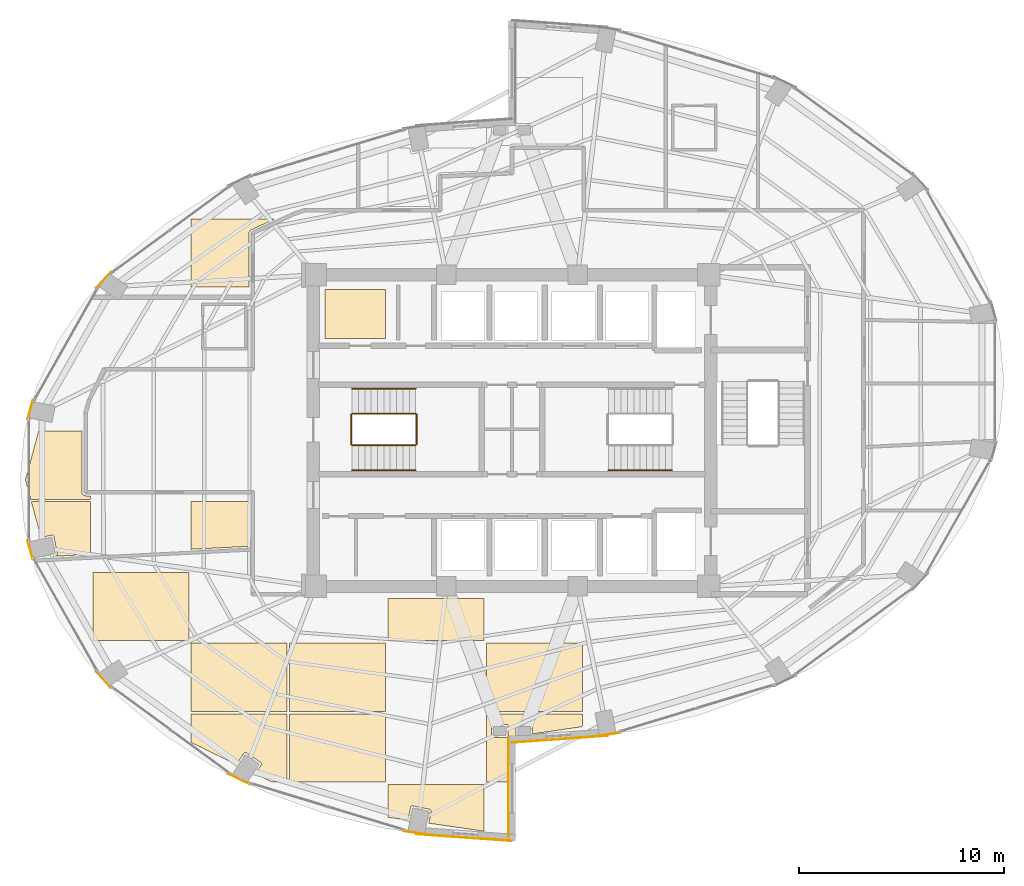
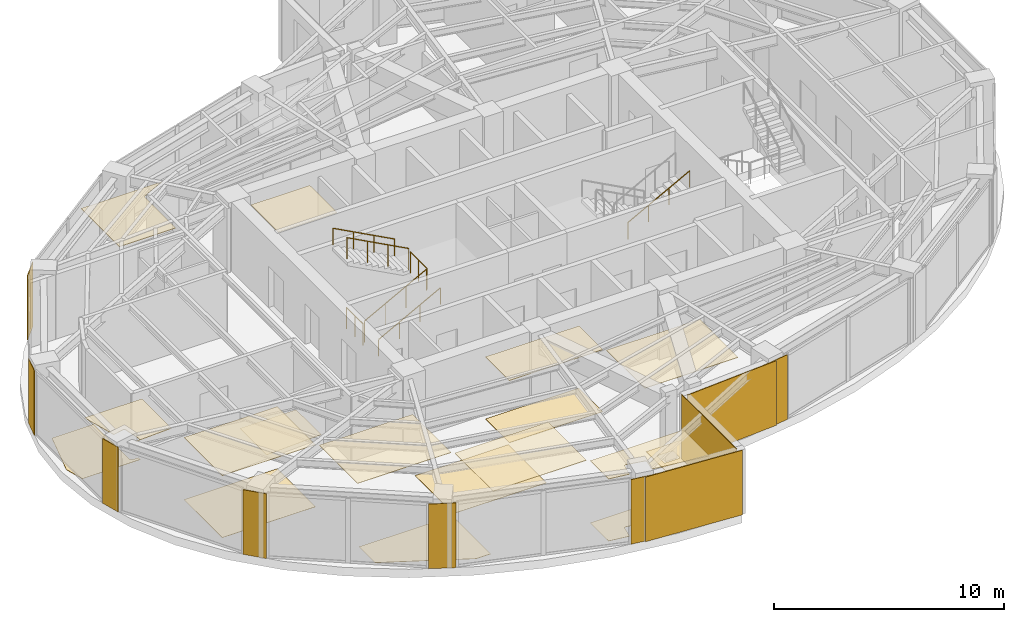
# One storey, part 19 of 20: 27 coverings, 7 railings.
"""IFC4 building model written with IfcOpenShell, lengths in metres."""

from ifc_helpers import new_model, si_unit, direction, frame, origin, origin_2d, place, context, subcontext, project, spatial, polyline, rectangle, circle, outline, extrude, material, layer, layer_set, type_object, element, save


model = new_model("IFC4")

# Units and contexts
model_context = context("Model", 3, precision=1e-05, world=origin(), true_north=direction((0.0, 1.0)))
body_context = subcontext(model_context, "Body", "Model", "MODEL_VIEW")
ifc_project = project(units=[si_unit("LENGTHUNIT", "METRE"), si_unit("AREAUNIT", "SQUARE_METRE"), si_unit("VOLUMEUNIT", "CUBIC_METRE"), si_unit("PLANEANGLEUNIT", "RADIAN"), si_unit("MASSUNIT", "GRAM", prefix="KILO")], contexts=[model_context])

# Site, building, storey
site_placement = place(None, origin())
site = spatial("IfcSite", under=ifc_project, at=site_placement, CompositionType="ELEMENT")
building_placement = place(site_placement, origin())
building = spatial("IfcBuilding", under=site, at=building_placement, Name="Lazwardi Medical Tower", CompositionType="ELEMENT")
storey_placement = place(building_placement, frame((0.0, 0.0, 138.2880859375)))
storey = spatial("IfcBuildingStorey", under=building, at=storey_placement, Name="L35", CompositionType="ELEMENT", Elevation=138.2880859375)

# Coverings
ifc_material_1 = material(Name="Anodised bronze aluminium cassette cladding", Category="aluminium")
ifc_layer_1 = layer(ifc_material_1, 0.030029296875)
ifc_layer_set_1 = layer_set([ifc_layer_1], Name="Anodised bronze aluminium cassette cladding")
covering_type_1 = type_object("IfcCoveringType", Name="COV-CLD-BRZ", PredefinedType="CLADDING", material=ifc_layer_set_1)
covering_1_placement = place(storey_placement, frame((40.67431640625, 13.17578125, 0.0), z_axis=(0.0, 0.0, 1.0), x_axis=(0.989539138138, 0.144264666823, 0.0)))
element("IfcCovering", 1, at=covering_1_placement, inside=storey, type_object=covering_type_1, Name="L35 Mega-column bronze cassette cover M01", PredefinedType="CLADDING", context=body_context, shape_type="SweptSolid", body=[
    extrude(rectangle(XDim=1.28515625, YDim=0.030029296875, at=origin_2d()), origin(), (0.0, 0.0, 1.0), 3.427978515625),
])
covering_2_placement = place(storey_placement, frame((16.07861328125, 35.356689453125, 0.0), z_axis=(0.0, 0.0, 1.0), x_axis=(-0.673714459537, -0.738991763832, 0.0)))
element("IfcCovering", 2, at=covering_2_placement, inside=storey, type_object=covering_type_1, Name="L35 Mega-column bronze cassette cover M11", PredefinedType="CLADDING", context=body_context, shape_type="SweptSolid", body=[
    extrude(rectangle(XDim=1.0693359375, YDim=0.030029296875, at=origin_2d()), origin(), (0.0, 0.0, 1.0), 3.427978515625),
])
for number, where, z_axis, x_axis, name in (
    (3, (12.501220703125, 29.026123046875, 0.0), (0.0, 0.0, 1.0), (-0.261828726257, -0.965114354938, 0.0), "L35 Mega-column bronze cassette cover M12"),
    (4, (12.501220703125, 22.173828125, 0.0), (0.0, 0.0, 1.0), (0.261828726257, -0.965114354938, 0.0), "L35 Mega-column bronze cassette cover M13"),
):
    element("IfcCovering", number, at=place(storey_placement, frame(where, z_axis=z_axis, x_axis=x_axis)), inside=storey, type_object=covering_type_1, Name=name, PredefinedType="CLADDING", context=body_context, shape_type="SweptSolid", body=[
        extrude(rectangle(XDim=0.9658203125, YDim=0.030029296875, at=origin_2d()), origin(), (0.0, 0.0, 1.0), 3.427978515625),
    ])
covering_3_placement = place(storey_placement, frame((16.07861328125, 15.84326171875, 0.0), z_axis=(0.0, 0.0, 1.0), x_axis=(0.673714459537, -0.738991763832, 0.0)))
element("IfcCovering", 5, at=covering_3_placement, inside=storey, type_object=covering_type_1, Name="L35 Mega-column bronze cassette cover M14", PredefinedType="CLADDING", context=body_context, shape_type="SweptSolid", body=[
    extrude(rectangle(XDim=1.0693359375, YDim=0.030029296875, at=origin_2d()), origin(), (0.0, 0.0, 1.0), 3.427978515625),
])
covering_4_placement = place(storey_placement, frame((22.68896484375, 10.998046875, 0.0), z_axis=(0.0, 0.0, 1.0), x_axis=(0.898079014814, -0.439834154144, 0.0)))
element("IfcCovering", 6, at=covering_4_placement, inside=storey, type_object=covering_type_1, Name="L35 Mega-column bronze cassette cover M15", PredefinedType="CLADDING", context=body_context, shape_type="SweptSolid", body=[
    extrude(rectangle(XDim=1.200439453125, YDim=0.030029296875, at=origin_2d()), origin(), (0.0, 0.0, 1.0), 3.427978515625),
])
covering_5_placement = place(storey_placement, frame((31.32568359375, 8.3759765625, 0.0), z_axis=(0.0, 0.0, 1.0), x_axis=(0.989539138138, -0.144264666823, 0.0)))
element("IfcCovering", 7, at=covering_5_placement, inside=storey, type_object=covering_type_1, Name="L35 Mega-column bronze cassette cover M16", PredefinedType="CLADDING", context=body_context, shape_type="SweptSolid", body=[
    extrude(rectangle(XDim=1.28515625, YDim=0.030029296875, at=origin_2d()), origin(), (0.0, 0.0, 1.0), 3.427978515625),
])
ifc_material_2 = material(Name="Turquoise glazed ceramic tilework cladding", Category="masonry")
ifc_layer_2 = layer(ifc_material_2, 0.034912109375)
ifc_layer_set_2 = layer_set([ifc_layer_2], Name="Turquoise glazed ceramic tilework cladding")
covering_type_2 = type_object("IfcCoveringType", Name="COV-CLD-TRQ", PredefinedType="CLADDING", material=ifc_layer_set_2)
covering_6_placement = place(storey_placement, frame((38.338134765625, 12.952392578125, 0.0), z_axis=(0.0, 0.0, 1.0), x_axis=(0.997414510753, 0.071863020663, 0.0)))
element("IfcCovering", 8, at=covering_6_placement, inside=storey, type_object=covering_type_2, Name="L35 Turquoise glazed ceramic tilework cladding", PredefinedType="CLADDING", context=body_context, shape_type="SweptSolid", body=[
    extrude(rectangle(XDim=4.6630859375, YDim=0.034912109375, at=origin_2d()), origin(), (0.0, 0.0, 1.0), 3.427978515625),
])
covering_7_placement = place(storey_placement, frame((33.66162109375, 8.152587890625, 0.0), z_axis=(0.0, 0.0, 1.0), x_axis=(0.997414134466, -0.071868243112, 0.0)))
element("IfcCovering", 9, at=covering_7_placement, inside=storey, type_object=covering_type_2, Name="L35 Turquoise glazed ceramic tilework cladding", PredefinedType="CLADDING", context=body_context, shape_type="SweptSolid", body=[
    extrude(rectangle(XDim=4.66259765625, YDim=0.034912109375, at=origin_2d()), origin(), (0.0, 0.0, 1.0), 3.427978515625),
])
covering_8_placement = place(storey_placement, frame((35.824462890625, 10.56005859375, 0.0), z_axis=(0.0, 0.0, 1.0), x_axis=(0.0, 1.0, 0.0)))
element("IfcCovering", 10, at=covering_8_placement, inside=storey, type_object=covering_type_2, Name="L35 Turquoise glazed ceramic tilework iwan panel", PredefinedType="CLADDING", context=body_context, shape_type="SweptSolid", body=[
    extrude(rectangle(XDim=4.800048828125, YDim=0.034912109375, at=origin_2d()), origin(), (0.0, 0.0, 1.0), 3.427978515625),
])
ifc_material_3 = material(Name="Acoustic mineral fibre tile")
ifc_layer_3 = layer(ifc_material_3, 0.02490234375)
ifc_layer_set_3 = layer_set([ifc_layer_3], Name="Acoustic mineral fibre tile")
covering_type_3 = type_object("IfcCoveringType", Name="COV-CLG-01", PredefinedType="CEILING", material=ifc_layer_set_3)
covering_9_placement = place(storey_placement, frame((0.0, 0.0, 3.282958984375)))
element("IfcCovering", 11, at=covering_9_placement, inside=storey, type_object=covering_type_3, Name="L35 Clinical Acoustic Ceiling 1", PredefinedType="CEILING", context=body_context, shape_type="SweptSolid", body=[
    extrude(outline(polyline([(12.55322265625, 24.532470703125), (13.02490234375, 22.798583984375), (13.55810546875, 22.904541015625), (13.56591796875, 22.90576171875), (13.57373046875, 22.906005859375), (13.58154296875, 22.90576171875), (13.58935546875, 22.904541015625), (13.596923828125, 22.902587890625), (13.6044921875, 22.89990234375), (13.611572265625, 22.896728515625), (13.6181640625, 22.892578125), (13.62451171875, 22.887939453125), (13.63037109375, 22.8828125), (13.635498046875, 22.876953125), (13.640380859375, 22.87060546875), (13.644287109375, 22.86376953125), (13.647705078125, 22.856689453125), (13.650390625, 22.849365234375), (13.65234375, 22.841796875), (13.820068359375, 21.998291015625), (13.8212890625, 21.990478515625), (13.821533203125, 21.982666015625), (13.8212890625, 21.974853515625), (13.820068359375, 21.967041015625), (13.818115234375, 21.95947265625), (13.8154296875, 21.951904296875), (13.812255859375, 21.94482421875), (13.80810546875, 21.938232421875), (13.803466796875, 21.931884765625), (13.798095703125, 21.926025390625), (13.79248046875, 21.9208984375), (13.785888671875, 21.916015625), (13.779296875, 21.912109375), (13.772216796875, 21.90869140625), (13.764892578125, 21.906005859375), (13.757080078125, 21.904052734375), (13.586181640625, 21.8701171875), (15.432861328125, 21.9638671875), (15.432861328125, 24.532470703125), (12.55322265625, 24.532470703125)])), origin(), (0.0, 0.0, 1.0), 0.02490234375),
])
covering_10_placement = place(storey_placement, frame((0.0, 0.0, 3.282958984375)))
element("IfcCovering", 12, at=covering_10_placement, inside=storey, type_object=covering_type_3, Name="L35 Clinical Acoustic Ceiling 2", PredefinedType="CEILING", context=body_context, shape_type="SweptSolid", body=[
    extrude(outline(polyline([(20.23291015625, 17.75244140625), (20.23291015625, 21.08251953125), (15.552978515625, 21.08251953125), (15.552978515625, 17.75244140625), (20.23291015625, 17.75244140625)])), origin(), (0.0, 0.0, 1.0), 0.02490234375),
])
covering_11_placement = place(storey_placement, frame((0.0, 0.0, 3.282958984375)))
element("IfcCovering", 13, at=covering_11_placement, inside=storey, type_object=covering_type_3, Name="L35 Clinical Acoustic Ceiling 3", PredefinedType="CEILING", context=body_context, shape_type="SweptSolid", body=[
    extrude(outline(polyline([(25.032958984375, 14.302490234375), (25.032958984375, 17.632568359375), (20.352783203125, 17.632568359375), (20.352783203125, 14.302490234375), (25.032958984375, 14.302490234375)])), origin(), (0.0, 0.0, 1.0), 0.02490234375),
])
covering_12_placement = place(storey_placement, frame((0.0, 0.0, 3.282958984375)))
element("IfcCovering", 14, at=covering_12_placement, inside=storey, type_object=covering_type_3, Name="L35 Clinical Acoustic Ceiling 4", PredefinedType="CEILING", context=body_context, shape_type="SweptSolid", body=[
    extrude(outline(polyline([(23.175048828125, 35.00244140625), (23.175048828125, 37.6337890625), (23.175048828125, 37.637451171875), (23.175537109375, 37.646484375), (23.17626953125, 37.654296875), (23.177490234375, 37.663330078125), (23.178955078125, 37.67041015625), (23.180908203125, 37.67919921875), (23.18310546875, 37.686279296875), (23.18603515625, 37.694580078125), (23.18896484375, 37.7021484375), (23.192626953125, 37.710205078125), (23.19580078125, 37.71630859375), (23.2001953125, 37.72412109375), (23.204345703125, 37.730712890625), (23.20947265625, 37.73828125), (23.214111328125, 37.744140625), (23.219970703125, 37.7509765625), (23.2255859375, 37.7568359375), (23.232177734375, 37.76318359375), (23.2373046875, 37.767578125), (23.244384765625, 37.773193359375), (23.25048828125, 37.77783203125), (23.258056640625, 37.78271484375), (23.26416015625, 37.786376953125), (23.272216796875, 37.79052734375), (23.27587890625, 37.79248046875), (24.43017578125, 38.33251953125), (20.352783203125, 38.33251953125), (20.352783203125, 35.00244140625), (23.175048828125, 35.00244140625)])), origin(), (0.0, 0.0, 1.0), 0.02490234375),
])
covering_13_placement = place(storey_placement, frame((0.0, 0.0, 3.282958984375)))
element("IfcCovering", 15, at=covering_13_placement, inside=storey, type_object=covering_type_3, Name="L35 Clinical Acoustic Ceiling 5", PredefinedType="CEILING", context=body_context, shape_type="SweptSolid", body=[
    extrude(outline(polyline([(29.8330078125, 10.8525390625), (29.8330078125, 14.1826171875), (25.15283203125, 14.1826171875), (25.15283203125, 10.8525390625), (29.8330078125, 10.8525390625)])), origin(), (0.0, 0.0, 1.0), 0.02490234375),
])
covering_14_placement = place(storey_placement, frame((0.0, 0.0, 3.282958984375)))
element("IfcCovering", 16, at=covering_14_placement, inside=storey, type_object=covering_type_3, Name="L35 Clinical Acoustic Ceiling 6", PredefinedType="CEILING", context=body_context, shape_type="SweptSolid", body=[
    extrude(outline(polyline([(26.8798828125, 34.882568359375), (26.8798828125, 32.5), (29.8330078125, 32.5), (29.8330078125, 34.882568359375), (26.8798828125, 34.882568359375)])), origin(), (0.0, 0.0, 1.0), 0.02490234375),
])
covering_15_placement = place(storey_placement, frame((0.0, 0.0, 3.282958984375)))
element("IfcCovering", 17, at=covering_15_placement, inside=storey, type_object=covering_type_3, Name="L35 Clinical Acoustic Ceiling 7", PredefinedType="CEILING", context=body_context, shape_type="SweptSolid", body=[
    extrude(outline(polyline([(29.952880859375, 9.140380859375), (30.92919921875, 8.99853515625), (31.0556640625, 9.63427734375), (31.0576171875, 9.641845703125), (31.060302734375, 9.6494140625), (31.0634765625, 9.656494140625), (31.067626953125, 9.6630859375), (31.072265625, 9.66943359375), (31.077392578125, 9.67529296875), (31.083251953125, 9.680419921875), (31.089599609375, 9.685302734375), (31.096435546875, 9.689208984375), (31.103515625, 9.692626953125), (31.11083984375, 9.6953125), (31.118408203125, 9.697265625), (31.126220703125, 9.6982421875), (31.134033203125, 9.69873046875), (31.141845703125, 9.6982421875), (31.149658203125, 9.697265625), (31.9931640625, 9.529296875), (32.000732421875, 9.527587890625), (32.00830078125, 9.52490234375), (32.015380859375, 9.521484375), (32.02197265625, 9.517333984375), (32.0283203125, 9.5126953125), (32.0341796875, 9.507568359375), (32.039306640625, 9.501708984375), (32.044189453125, 9.495361328125), (32.048095703125, 9.488525390625), (32.051513671875, 9.4814453125), (32.05419921875, 9.47412109375), (32.05615234375, 9.466552734375), (32.05712890625, 9.458740234375), (32.0576171875, 9.450927734375), (32.05712890625, 9.443115234375), (32.05615234375, 9.435302734375), (31.93994140625, 8.851318359375), (34.6328125, 8.459716796875), (34.6328125, 10.732421875), (29.952880859375, 10.732421875), (29.952880859375, 9.140380859375)])), origin(), (0.0, 0.0, 1.0), 0.02490234375),
])
covering_16_placement = place(storey_placement, frame((0.0, 0.0, 3.282958984375)))
element("IfcCovering", 18, at=covering_16_placement, inside=storey, type_object=covering_type_3, Name="L35 Clinical Acoustic Ceiling 8", PredefinedType="CEILING", context=body_context, shape_type="SweptSolid", body=[
    extrude(outline(polyline([(34.6328125, 19.820068359375), (29.952880859375, 19.820068359375), (29.952880859375, 17.75244140625), (34.6328125, 17.75244140625), (34.6328125, 19.820068359375)])), origin(), (0.0, 0.0, 1.0), 0.02490234375),
])
covering_17_placement = place(storey_placement, frame((0.0, 0.0, 3.282958984375)))
element("IfcCovering", 19, at=covering_17_placement, inside=storey, type_object=covering_type_3, Name="L35 Clinical Acoustic Ceiling 10", PredefinedType="CEILING", context=body_context, shape_type="SweptSolid", body=[
    extrude(outline(polyline([(39.432861328125, 14.302490234375), (39.432861328125, 17.632568359375), (34.7529296875, 17.632568359375), (34.7529296875, 14.302490234375), (39.432861328125, 14.302490234375)])), origin(), (0.0, 0.0, 1.0), 0.02490234375),
])
ifc_material_4 = material(Name="Anti-static hospital vinyl sheet flooring")
ifc_layer_4 = layer(ifc_material_4, 0.014892578125)
ifc_layer_set_4 = layer_set([ifc_layer_4], Name="Anti-static hospital vinyl sheet flooring")
covering_type_4 = type_object("IfcCoveringType", Name="COV-FLR-01", PredefinedType="FLOORING", material=ifc_layer_set_4)
covering_18_placement = place(storey_placement, origin())
element("IfcCovering", 20, at=covering_18_placement, inside=storey, type_object=covering_type_4, Name="L35 Clinical Vinyl Flooring 1", PredefinedType="FLOORING", context=body_context, shape_type="SweptSolid", body=[
    extrude(outline(polyline([(15.432861328125, 24.824951171875), (15.199951171875, 24.824951171875), (15.19580078125, 24.8251953125), (15.186279296875, 24.82568359375), (15.179443359375, 24.826416015625), (15.17041015625, 24.82763671875), (15.161865234375, 24.8291015625), (15.15283203125, 24.83154296875), (15.145751953125, 24.83349609375), (15.136962890625, 24.836669921875), (15.129150390625, 24.840087890625), (15.120849609375, 24.843994140625), (15.114013671875, 24.84765625), (15.10595703125, 24.852294921875), (15.099365234375, 24.85693359375), (15.091796875, 24.862548828125), (15.086181640625, 24.8671875), (15.079345703125, 24.873291015625), (15.0732421875, 24.87939453125), (15.067138671875, 24.88623046875), (15.0625, 24.891845703125), (15.056884765625, 24.8994140625), (15.052490234375, 24.906005859375), (15.047607421875, 24.9140625), (15.0439453125, 24.9208984375), (15.0400390625, 24.92919921875), (15.03662109375, 24.93701171875), (15.03369140625, 24.94580078125), (15.031494140625, 24.952880859375), (15.029296875, 24.9619140625), (15.027587890625, 24.97021484375), (15.0263671875, 24.9794921875), (15.025634765625, 24.986328125), (15.025146484375, 24.99560546875), (15.02490234375, 25.0), (15.02490234375, 27.982421875), (12.910888671875, 27.982421875), (12.262939453125, 25.60009765625), (12.5205078125, 24.652587890625), (15.432861328125, 24.652587890625), (15.432861328125, 24.824951171875)])), origin(), (0.0, 0.0, 1.0), 0.014892578125),
])
covering_19_placement = place(storey_placement, origin())
element("IfcCovering", 21, at=covering_19_placement, inside=storey, type_object=covering_type_4, Name="L35 Clinical Vinyl Flooring 2", PredefinedType="FLOORING", context=body_context, shape_type="SweptSolid", body=[
    extrude(outline(polyline([(20.23291015625, 17.75244140625), (20.23291015625, 21.08251953125), (15.552978515625, 21.08251953125), (15.552978515625, 17.75244140625), (20.23291015625, 17.75244140625)])), origin(), (0.0, 0.0, 1.0), 0.014892578125),
])
covering_20_placement = place(storey_placement, origin())
element("IfcCovering", 22, at=covering_20_placement, inside=storey, type_object=covering_type_4, Name="L35 Clinical Vinyl Flooring 3", PredefinedType="FLOORING", context=body_context, shape_type="SweptSolid", body=[
    extrude(outline(polyline([(20.352783203125, 12.78662109375), (22.551513671875, 11.71240234375), (22.919921875, 12.263916015625), (22.9248046875, 12.27001953125), (22.929931640625, 12.27587890625), (22.935791015625, 12.28125), (22.942138671875, 12.285888671875), (22.94873046875, 12.2900390625), (22.955810546875, 12.293212890625), (22.96337890625, 12.2958984375), (22.970947265625, 12.2978515625), (22.978759765625, 12.299072265625), (22.986572265625, 12.29931640625), (22.994384765625, 12.299072265625), (23.002197265625, 12.2978515625), (23.009765625, 12.2958984375), (23.01708984375, 12.293212890625), (23.024169921875, 12.2900390625), (23.031005859375, 12.285888671875), (23.74609375, 11.80810546875), (23.75244140625, 11.803466796875), (23.75830078125, 11.798095703125), (23.763427734375, 11.79248046875), (23.76806640625, 11.785888671875), (23.772216796875, 11.779296875), (23.775390625, 11.772216796875), (23.7783203125, 11.764892578125), (23.780029296875, 11.757080078125), (23.78125, 11.74951171875), (23.781494140625, 11.74169921875), (23.78125, 11.73388671875), (23.780029296875, 11.72607421875), (23.7783203125, 11.718505859375), (23.775390625, 11.7109375), (23.772216796875, 11.703857421875), (23.76806640625, 11.697021484375), (23.476318359375, 11.260498046875), (24.311279296875, 10.8525390625), (25.032958984375, 10.8525390625), (25.032958984375, 14.1826171875), (20.352783203125, 14.1826171875), (20.352783203125, 12.78662109375)])), origin(), (0.0, 0.0, 1.0), 0.014892578125),
])
covering_21_placement = place(storey_placement, origin())
element("IfcCovering", 23, at=covering_21_placement, inside=storey, type_object=covering_type_4, Name="L35 Clinical Vinyl Flooring 4", PredefinedType="FLOORING", context=body_context, shape_type="SweptSolid", body=[
    extrude(outline(polyline([(20.352783203125, 22.213623046875), (23.175048828125, 22.35693359375), (23.175048828125, 24.532470703125), (20.352783203125, 24.532470703125), (20.352783203125, 22.213623046875)])), origin(), (0.0, 0.0, 1.0), 0.014892578125),
])
covering_22_placement = place(storey_placement, origin())
element("IfcCovering", 24, at=covering_22_placement, inside=storey, type_object=covering_type_4, Name="L35 Clinical Vinyl Flooring 5", PredefinedType="FLOORING", context=body_context, shape_type="SweptSolid", body=[
    extrude(outline(polyline([(29.8330078125, 14.302490234375), (29.8330078125, 17.632568359375), (25.15283203125, 17.632568359375), (25.15283203125, 14.302490234375), (29.8330078125, 14.302490234375)])), origin(), (0.0, 0.0, 1.0), 0.014892578125),
])
covering_23_placement = place(storey_placement, origin())
element("IfcCovering", 25, at=covering_23_placement, inside=storey, type_object=covering_type_4, Name="L35 Clinical Vinyl Flooring 6", PredefinedType="FLOORING", context=body_context, shape_type="SweptSolid", body=[
    extrude(outline(polyline([(29.952880859375, 9.140380859375), (30.92919921875, 8.99853515625), (31.0556640625, 9.63427734375), (31.0576171875, 9.641845703125), (31.060302734375, 9.6494140625), (31.0634765625, 9.656494140625), (31.067626953125, 9.6630859375), (31.072265625, 9.66943359375), (31.077392578125, 9.67529296875), (31.083251953125, 9.680419921875), (31.089599609375, 9.685302734375), (31.096435546875, 9.689208984375), (31.103515625, 9.692626953125), (31.11083984375, 9.6953125), (31.118408203125, 9.697265625), (31.126220703125, 9.6982421875), (31.134033203125, 9.69873046875), (31.141845703125, 9.6982421875), (31.149658203125, 9.697265625), (31.9931640625, 9.529296875), (32.000732421875, 9.527587890625), (32.00830078125, 9.52490234375), (32.015380859375, 9.521484375), (32.02197265625, 9.517333984375), (32.0283203125, 9.5126953125), (32.0341796875, 9.507568359375), (32.039306640625, 9.501708984375), (32.044189453125, 9.495361328125), (32.048095703125, 9.488525390625), (32.051513671875, 9.4814453125), (32.05419921875, 9.47412109375), (32.05615234375, 9.466552734375), (32.05712890625, 9.458740234375), (32.0576171875, 9.450927734375), (32.05712890625, 9.443115234375), (32.05615234375, 9.435302734375), (31.93994140625, 8.851318359375), (34.6328125, 8.459716796875), (34.6328125, 10.732421875), (29.952880859375, 10.732421875), (29.952880859375, 9.140380859375)])), origin(), (0.0, 0.0, 1.0), 0.014892578125),
])
covering_24_placement = place(storey_placement, origin())
element("IfcCovering", 26, at=covering_24_placement, inside=storey, type_object=covering_type_4, Name="L35 Clinical Vinyl Flooring 7", PredefinedType="FLOORING", context=body_context, shape_type="SweptSolid", body=[
    extrude(outline(polyline([(34.6328125, 19.820068359375), (29.952880859375, 19.820068359375), (29.952880859375, 17.75244140625), (34.6328125, 17.75244140625), (34.6328125, 19.820068359375)])), origin(), (0.0, 0.0, 1.0), 0.014892578125),
])
covering_25_placement = place(storey_placement, origin())
element("IfcCovering", 27, at=covering_25_placement, inside=storey, type_object=covering_type_4, Name="L35 Clinical Vinyl Flooring 9", PredefinedType="FLOORING", context=body_context, shape_type="SweptSolid", body=[
    extrude(outline(polyline([(35.919921875, 10.8525390625), (35.919921875, 12.97998046875), (35.92041015625, 12.987548828125), (35.92138671875, 12.9951171875), (35.923095703125, 13.00244140625), (35.92578125, 13.009765625), (35.928955078125, 13.0166015625), (35.9326171875, 13.023193359375), (35.93701171875, 13.029296875), (35.942138671875, 13.03515625), (35.947509765625, 13.040283203125), (35.95361328125, 13.045166015625), (35.9599609375, 13.04931640625), (35.966796875, 13.052734375), (35.9736328125, 13.0556640625), (35.98095703125, 13.0576171875), (35.988525390625, 13.05908203125), (36.201416015625, 13.090087890625), (36.200439453125, 13.09716796875), (36.199951171875, 13.10498046875), (36.199951171875, 13.594970703125), (36.200439453125, 13.602783203125), (36.201416015625, 13.610595703125), (36.203369140625, 13.6181640625), (36.2060546875, 13.62548828125), (36.20947265625, 13.6328125), (36.21337890625, 13.639404296875), (36.21826171875, 13.645751953125), (36.223388671875, 13.651611328125), (36.229248046875, 13.65673828125), (36.235595703125, 13.66162109375), (36.2421875, 13.66552734375), (36.24951171875, 13.6689453125), (36.2568359375, 13.671630859375), (36.264404296875, 13.673583984375), (36.272216796875, 13.674560546875), (36.280029296875, 13.675048828125), (36.919921875, 13.675048828125), (36.927734375, 13.674560546875), (36.935546875, 13.673583984375), (36.943115234375, 13.671630859375), (36.95068359375, 13.6689453125), (36.957763671875, 13.66552734375), (36.96435546875, 13.66162109375), (36.970703125, 13.65673828125), (36.9765625, 13.651611328125), (36.981689453125, 13.645751953125), (36.986572265625, 13.639404296875), (36.990478515625, 13.6328125), (36.993896484375, 13.62548828125), (36.99658203125, 13.6181640625), (36.99853515625, 13.610595703125), (36.99951171875, 13.602783203125), (37.0, 13.594970703125), (37.0, 13.206298828125), (39.432861328125, 13.560302734375), (39.432861328125, 14.1826171875), (34.7529296875, 14.1826171875), (34.7529296875, 10.8525390625), (35.919921875, 10.8525390625)]), holes=[polyline([(35.7431640625, 13.0283203125), (35.735595703125, 13.026611328125), (35.727783203125, 13.025390625), (35.719970703125, 13.02490234375), (35.080078125, 13.02490234375), (35.072265625, 13.025390625), (35.064453125, 13.026611328125), (35.056884765625, 13.0283203125), (35.04931640625, 13.031005859375), (35.042236328125, 13.034423828125), (35.03564453125, 13.03857421875), (35.029296875, 13.043212890625), (35.0234375, 13.04833984375), (35.018310546875, 13.05419921875), (35.013427734375, 13.060546875), (35.009521484375, 13.0673828125), (35.006103515625, 13.074462890625), (35.00341796875, 13.081787109375), (35.00146484375, 13.08935546875), (35.00048828125, 13.09716796875), (35.0, 13.10498046875), (35.0, 13.594970703125), (35.00048828125, 13.602783203125), (35.00146484375, 13.610595703125), (35.00341796875, 13.6181640625), (35.006103515625, 13.62548828125), (35.009521484375, 13.6328125), (35.013427734375, 13.639404296875), (35.018310546875, 13.645751953125), (35.0234375, 13.651611328125), (35.029296875, 13.65673828125), (35.03564453125, 13.66162109375), (35.042236328125, 13.66552734375), (35.04931640625, 13.6689453125), (35.056884765625, 13.671630859375), (35.064453125, 13.673583984375), (35.072265625, 13.674560546875), (35.080078125, 13.675048828125), (35.719970703125, 13.675048828125), (35.727783203125, 13.674560546875), (35.735595703125, 13.673583984375), (35.7431640625, 13.671630859375), (35.75048828125, 13.6689453125), (35.7578125, 13.66552734375), (35.764404296875, 13.66162109375), (35.770751953125, 13.65673828125), (35.776611328125, 13.651611328125), (35.78173828125, 13.645751953125), (35.78662109375, 13.639404296875), (35.79052734375, 13.6328125), (35.7939453125, 13.62548828125), (35.796630859375, 13.6181640625), (35.798583984375, 13.610595703125), (35.799560546875, 13.602783203125), (35.800048828125, 13.594970703125), (35.800048828125, 13.10498046875), (35.799560546875, 13.09716796875), (35.798583984375, 13.08935546875), (35.796630859375, 13.081787109375), (35.7939453125, 13.074462890625), (35.79052734375, 13.0673828125), (35.78662109375, 13.060546875), (35.78173828125, 13.05419921875), (35.776611328125, 13.04833984375), (35.770751953125, 13.043212890625), (35.764404296875, 13.03857421875), (35.7578125, 13.034423828125), (35.75048828125, 13.031005859375), (35.7431640625, 13.0283203125)])]), origin(), (0.0, 0.0, 1.0), 0.014892578125),
])

# Railings
ifc_material_5 = material(Name="Stainless steel Grade 316", Category="steel")
railing_type_1 = type_object("IfcRailingType", Name="RLG-GRD-1150", PredefinedType="GUARDRAIL", material=ifc_material_5)
railing_1_placement = place(storey_placement, frame((28.199951171875, 27.2900390625, 0.165771484375)))
element("IfcRailing", 28, at=railing_1_placement, inside=storey, type_object=railing_type_1, Name="L35 ST1 stair guard 1", PredefinedType="GUARDRAIL", context=body_context, shape_type="SweptSolid", body=[
    extrude(circle(Radius=0.02392578125, at=origin_2d()), frame((0.0, 0.0, 1.1259765625), z_axis=(0.881783298633, 0.0, 0.471654761719), x_axis=(0.0, 1.0, 0.0)), (0.0, 0.0, 1.0), 3.515625),
    extrude(circle(Radius=0.02099609375, at=origin_2d()), origin(), (0.0, 0.0, 1.0), 1.099853515625),
    extrude(circle(Radius=0.02099609375, at=origin_2d()), frame((1.033447265625, 0.0, 0.552734375)), (0.0, 0.0, 1.0), 1.099853515625),
    extrude(circle(Radius=0.02099609375, at=origin_2d()), frame((2.066650390625, 0.0, 1.10546875)), (0.0, 0.0, 1.0), 1.099853515625),
    extrude(circle(Radius=0.02099609375, at=origin_2d()), frame((3.10009765625, 0.0, 1.658203125)), (0.0, 0.0, 1.0), 1.099853515625),
])
railing_2_placement = place(storey_placement, frame((31.35009765625, 27.340087890625, 1.823974609375)))
element("IfcRailing", 29, at=railing_2_placement, inside=storey, type_object=railing_type_1, Name="L35 ST1 stair guard 2", PredefinedType="GUARDRAIL", context=body_context, shape_type="SweptSolid", body=[
    extrude(circle(Radius=0.02392578125, at=origin_2d()), frame((0.0, 0.0, 1.1259765625), z_axis=(0.0, 1.0, 0.0), x_axis=(-1.0, 0.0, 0.0)), (0.0, 0.0, 1.0), 1.43994140625),
    extrude(circle(Radius=0.02099609375, at=origin_2d()), origin(), (0.0, 0.0, 1.0), 1.099853515625),
    extrude(circle(Radius=0.02099609375, at=origin_2d()), frame((0.0, 0.719970703125, 0.0)), (0.0, 0.0, 1.0), 1.099853515625),
    extrude(circle(Radius=0.02099609375, at=origin_2d()), frame((0.0, 1.43994140625, 0.0)), (0.0, 0.0, 1.0), 1.099853515625),
])
railing_3_placement = place(storey_placement, frame((31.300048828125, 28.830078125, 1.98974609375)))
element("IfcRailing", 30, at=railing_3_placement, inside=storey, type_object=railing_type_1, Name="L35 ST1 stair guard 3", PredefinedType="GUARDRAIL", context=body_context, shape_type="SweptSolid", body=[
    extrude(circle(Radius=0.02392578125, at=origin_2d()), frame((0.0, 0.0, 1.1259765625), z_axis=(-0.881783298633, 0.0, 0.471654761719), x_axis=(0.0, -1.0, 0.0)), (0.0, 0.0, 1.0), 3.515625),
    extrude(circle(Radius=0.02099609375, at=origin_2d()), origin(), (0.0, 0.0, 1.0), 1.099853515625),
    extrude(circle(Radius=0.02099609375, at=origin_2d()), frame((-1.033447265625, 0.0, 0.552734375)), (0.0, 0.0, 1.0), 1.099853515625),
    extrude(circle(Radius=0.02099609375, at=origin_2d()), frame((-2.066650390625, 0.0, 1.10546875)), (0.0, 0.0, 1.0), 1.099853515625),
    extrude(circle(Radius=0.02099609375, at=origin_2d()), frame((-3.10009765625, 0.0, 1.658203125)), (0.0, 0.0, 1.0), 1.099853515625),
])
railing_4_placement = place(storey_placement, frame((28.14990234375, 27.340087890625, 0.0)))
element("IfcRailing", 31, at=railing_4_placement, inside=storey, type_object=railing_type_1, Name="L35 ST1 stair guard 4", PredefinedType="GUARDRAIL", context=body_context, shape_type="SweptSolid", body=[
    extrude(circle(Radius=0.02392578125, at=origin_2d()), frame((0.0, 0.0, 1.1259765625), z_axis=(0.0, 1.0, 0.0), x_axis=(-1.0, 0.0, 0.0)), (0.0, 0.0, 1.0), 1.43994140625),
    extrude(circle(Radius=0.02099609375, at=origin_2d()), origin(), (0.0, 0.0, 1.0), 1.099853515625),
    extrude(circle(Radius=0.02099609375, at=origin_2d()), frame((0.0, 0.719970703125, 0.0)), (0.0, 0.0, 1.0), 1.099853515625),
    extrude(circle(Radius=0.02099609375, at=origin_2d()), frame((0.0, 1.43994140625, 0.0)), (0.0, 0.0, 1.0), 1.099853515625),
])
railing_type_2 = type_object("IfcRailingType", Name="RLG-HND-920", PredefinedType="HANDRAIL", material=ifc_material_5)
railing_5_placement = place(storey_placement, frame((28.199951171875, 26.070068359375, 0.165771484375)))
element("IfcRailing", 32, at=railing_5_placement, inside=storey, type_object=railing_type_2, Name="L35 ST1 stair handrail 1", PredefinedType="HANDRAIL", context=body_context, shape_type="SweptSolid", body=[
    extrude(circle(Radius=0.02392578125, at=origin_2d()), frame((0.0, 0.0, 0.8857421875), z_axis=(0.881783298633, 0.0, 0.471654761719), x_axis=(0.0, 1.0, 0.0)), (0.0, 0.0, 1.0), 3.515625),
    extrude(circle(Radius=0.02099609375, at=origin_2d()), origin(), (0.0, 0.0, 1.0), 0.85986328125),
    extrude(circle(Radius=0.02099609375, at=origin_2d()), frame((1.033447265625, 0.0, 0.552734375)), (0.0, 0.0, 1.0), 0.85986328125),
    extrude(circle(Radius=0.02099609375, at=origin_2d()), frame((2.066650390625, 0.0, 1.10546875)), (0.0, 0.0, 1.0), 0.85986328125),
    extrude(circle(Radius=0.02099609375, at=origin_2d()), frame((3.10009765625, 0.0, 1.658203125)), (0.0, 0.0, 1.0), 0.85986328125),
])
railing_6_placement = place(storey_placement, frame((31.300048828125, 30.050048828125, 1.98974609375)))
element("IfcRailing", 33, at=railing_6_placement, inside=storey, type_object=railing_type_2, Name="L35 ST1 stair handrail 2", PredefinedType="HANDRAIL", context=body_context, shape_type="SweptSolid", body=[
    extrude(circle(Radius=0.02392578125, at=origin_2d()), frame((0.0, 0.0, 0.8857421875), z_axis=(-0.881783298633, 0.0, 0.471654761719), x_axis=(0.0, -1.0, 0.0)), (0.0, 0.0, 1.0), 3.515625),
    extrude(circle(Radius=0.02099609375, at=origin_2d()), origin(), (0.0, 0.0, 1.0), 0.85986328125),
    extrude(circle(Radius=0.02099609375, at=origin_2d()), frame((-1.033447265625, 0.0, 0.552734375)), (0.0, 0.0, 1.0), 0.85986328125),
    extrude(circle(Radius=0.02099609375, at=origin_2d()), frame((-2.066650390625, 0.0, 1.10546875)), (0.0, 0.0, 1.0), 0.85986328125),
    extrude(circle(Radius=0.02099609375, at=origin_2d()), frame((-3.10009765625, 0.0, 1.658203125)), (0.0, 0.0, 1.0), 0.85986328125),
])
railing_7_placement = place(storey_placement, frame((40.699951171875, 26.070068359375, 1.98974609375)))
element("IfcRailing", 34, at=railing_7_placement, inside=storey, type_object=railing_type_2, Name="L35 ST2 stair handrail 2", PredefinedType="HANDRAIL", context=body_context, shape_type="SweptSolid", body=[
    extrude(circle(Radius=0.02392578125, at=origin_2d()), frame((0.0, 0.0, 0.8857421875), z_axis=(0.881783298633, 0.0, 0.471654761719), x_axis=(0.0, 1.0, 0.0)), (0.0, 0.0, 1.0), 3.515625),
    extrude(circle(Radius=0.02099609375, at=origin_2d()), origin(), (0.0, 0.0, 1.0), 0.85986328125),
    extrude(circle(Radius=0.02099609375, at=origin_2d()), frame((1.033447265625, 0.0, 0.552734375)), (0.0, 0.0, 1.0), 0.85986328125),
    extrude(circle(Radius=0.02099609375, at=origin_2d()), frame((2.066650390625, 0.0, 1.10546875)), (0.0, 0.0, 1.0), 0.85986328125),
    extrude(circle(Radius=0.02099609375, at=origin_2d()), frame((3.10009765625, 0.0, 1.658203125)), (0.0, 0.0, 1.0), 0.85986328125),
])

save(model, "model.ifc")
